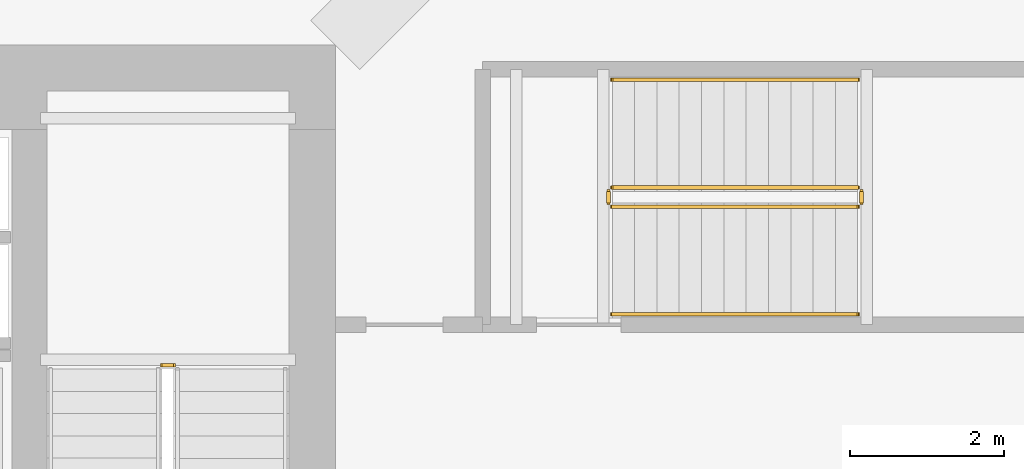
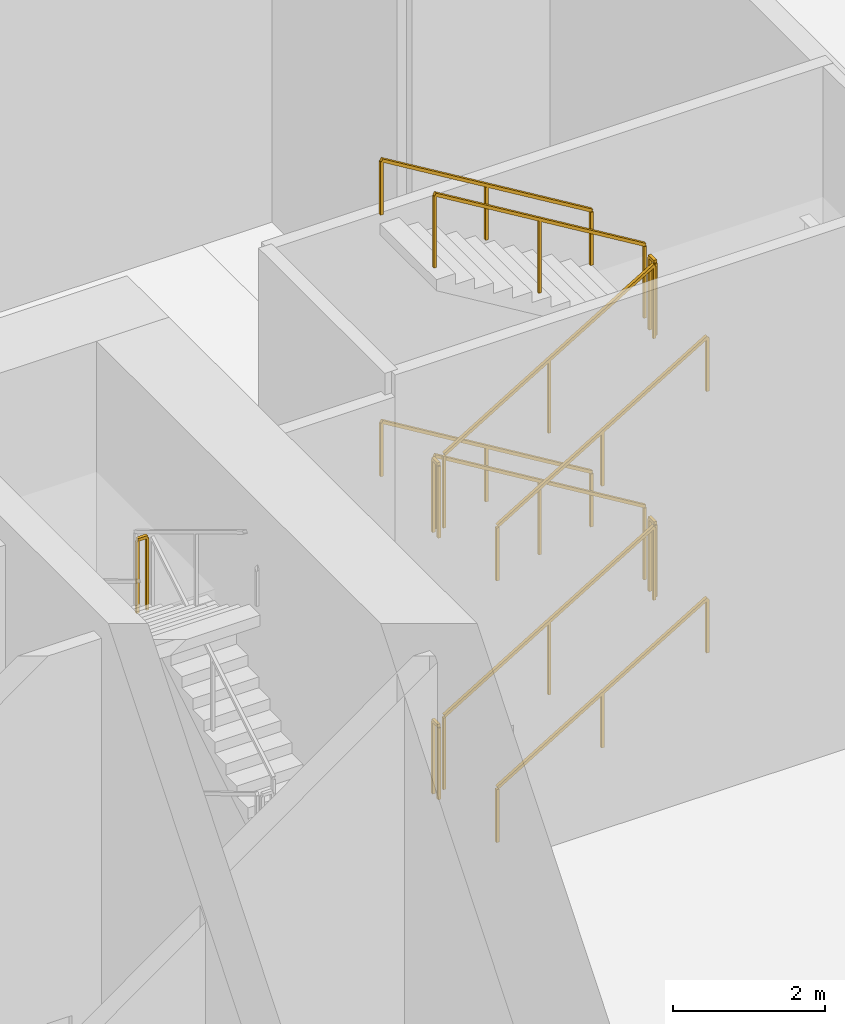
# One storey, part 11 of 12: 13 railings.
"""IFC4 building model written with IfcOpenShell, lengths in metres."""

from ifc_helpers import new_model, si_unit, direction, frame, origin, origin_2d, place, context, subcontext, project, spatial, rectangle, extrude, material, type_object, element, save


model = new_model("IFC4")

# Units and contexts
model_context = context("Model", 3, precision=1e-05, world=origin(), true_north=direction((0.0, 1.0)))
body_context = subcontext(model_context, "Body", "Model", "MODEL_VIEW")
ifc_project = project(units=[si_unit("LENGTHUNIT", "METRE"), si_unit("AREAUNIT", "SQUARE_METRE"), si_unit("VOLUMEUNIT", "CUBIC_METRE"), si_unit("PLANEANGLEUNIT", "RADIAN"), si_unit("MASSUNIT", "GRAM", prefix="KILO")], contexts=[model_context])

# Site, building, storey
site_placement = place(None, origin())
site = spatial("IfcSite", under=ifc_project, at=site_placement, CompositionType="ELEMENT")
building_placement = place(site_placement, origin())
building = spatial("IfcBuilding", under=site, at=building_placement, Name="Belovzor Exchange Tower", CompositionType="ELEMENT")
storey_placement = place(building_placement, origin())
storey = spatial("IfcBuildingStorey", under=building, at=storey_placement, Name="L01", CompositionType="ELEMENT", Elevation=0.0)

# Railings
ifc_material_1 = material(Name="Stainless Steel Grade 304", Category="steel")
railing_type_1 = type_object("IfcRailingType", Name="Brushed Stainless Steel Stair Handrail 900", PredefinedType="HANDRAIL", material=ifc_material_1)
railing_1_placement = place(storey_placement, frame((41.39990234375, 34.300048828125, 0.175048828125)))
element("IfcRailing", 1, at=railing_1_placement, inside=storey, type_object=railing_type_1, Name="L01 ST-4 stair handrail 1", PredefinedType="HANDRAIL", context=body_context, shape_type="SweptSolid", body=[
    extrude(rectangle(XDim=0.048095703125, YDim=0.048095703125, at=origin_2d()), frame((0.0, 0.0, 0.8759765625), z_axis=(0.856195157123, 0.0, 0.516652545643), x_axis=(0.0, 1.0, 0.0)), (0.0, 0.0, 1.0), 3.72607421875),
    extrude(rectangle(XDim=0.0419921875, YDim=0.0419921875, at=origin_2d()), origin(), (0.0, 0.0, 1.0), 0.851806640625),
    extrude(rectangle(XDim=0.0419921875, YDim=0.0419921875, at=origin_2d()), frame((1.59521484375, 0.0, 0.96240234375)), (0.0, 0.0, 1.0), 0.851806640625),
    extrude(rectangle(XDim=0.0419921875, YDim=0.0419921875, at=origin_2d()), frame((3.190185546875, 0.0, 1.925048828125)), (0.0, 0.0, 1.0), 0.851806640625),
])
railing_2_placement = place(storey_placement, frame((44.590087890625, 37.35009765625, 2.27490234375)))
element("IfcRailing", 2, at=railing_2_placement, inside=storey, type_object=railing_type_1, Name="L01 ST-4 stair handrail 2", PredefinedType="HANDRAIL", context=body_context, shape_type="SweptSolid", body=[
    extrude(rectangle(XDim=0.048095703125, YDim=0.048095703125, at=origin_2d()), frame((0.0, 0.0, 0.8759765625), z_axis=(-0.856195157123, 0.0, 0.516652545643), x_axis=(0.0, -1.0, 0.0)), (0.0, 0.0, 1.0), 3.72607421875),
    extrude(rectangle(XDim=0.0419921875, YDim=0.0419921875, at=origin_2d()), origin(), (0.0, 0.0, 1.0), 0.851806640625),
    extrude(rectangle(XDim=0.0419921875, YDim=0.0419921875, at=origin_2d()), frame((-1.59521484375, 0.0, 0.96240234375)), (0.0, 0.0, 1.0), 0.851806640625),
    extrude(rectangle(XDim=0.0419921875, YDim=0.0419921875, at=origin_2d()), frame((-3.190185546875, 0.0, 1.925048828125)), (0.0, 0.0, 1.0), 0.851806640625),
])
railing_3_placement = place(storey_placement, frame((41.39990234375, 34.300048828125, 4.375)))
element("IfcRailing", 3, at=railing_3_placement, inside=storey, type_object=railing_type_1, Name="L01 ST-4 stair handrail 3", PredefinedType="HANDRAIL", context=body_context, shape_type="SweptSolid", body=[
    extrude(rectangle(XDim=0.048095703125, YDim=0.048095703125, at=origin_2d()), frame((0.0, 0.0, 0.8759765625), z_axis=(0.856195157123, 0.0, 0.516652545643), x_axis=(0.0, 1.0, 0.0)), (0.0, 0.0, 1.0), 3.72607421875),
    extrude(rectangle(XDim=0.0419921875, YDim=0.0419921875, at=origin_2d()), origin(), (0.0, 0.0, 1.0), 0.851806640625),
    extrude(rectangle(XDim=0.0419921875, YDim=0.0419921875, at=origin_2d()), frame((1.59521484375, 0.0, 0.96240234375)), (0.0, 0.0, 1.0), 0.851806640625),
    extrude(rectangle(XDim=0.0419921875, YDim=0.0419921875, at=origin_2d()), frame((3.190185546875, 0.0, 1.925048828125)), (0.0, 0.0, 1.0), 0.851806640625),
])
railing_4_placement = place(storey_placement, frame((44.590087890625, 37.35009765625, 6.47509765625)))
element("IfcRailing", 4, at=railing_4_placement, inside=storey, type_object=railing_type_1, Name="L01 ST-4 stair handrail 4", PredefinedType="HANDRAIL", context=body_context, shape_type="SweptSolid", body=[
    extrude(rectangle(XDim=0.048095703125, YDim=0.048095703125, at=origin_2d()), frame((0.0, 0.0, 0.8759765625), z_axis=(-0.856224141417, 0.0, 0.516604509905), x_axis=(0.0, -1.0, 0.0)), (0.0, 0.0, 1.0), 3.725830078125),
    extrude(rectangle(XDim=0.0419921875, YDim=0.0419921875, at=origin_2d()), origin(), (0.0, 0.0, 1.0), 0.851806640625),
    extrude(rectangle(XDim=0.0419921875, YDim=0.0419921875, at=origin_2d()), frame((-1.59521484375, 0.0, 0.96240234375)), (0.0, 0.0, 1.0), 0.851806640625),
    extrude(rectangle(XDim=0.0419921875, YDim=0.0419921875, at=origin_2d()), frame((-3.190185546875, 0.0, 1.9248046875)), (0.0, 0.0, 1.0), 0.851806640625),
])
ifc_material_2 = material(Name="Steel S355", Category="steel")
railing_type_2 = type_object("IfcRailingType", Name="Painted Steel Stairwell Guardrail 1200", PredefinedType="GUARDRAIL", material=ifc_material_2)
railing_5_placement = place(storey_placement, frame((35.699951171875, 33.639892578125, 6.300048828125)))
element("IfcRailing", 5, at=railing_5_placement, inside=storey, type_object=railing_type_2, Name="L01 ST-2 stair guard 6", PredefinedType="GUARDRAIL", context=body_context, shape_type="SweptSolid", body=[
    extrude(rectangle(XDim=0.048095703125, YDim=0.048095703125, at=origin_2d()), frame((0.0, 0.0, 1.17578125), z_axis=(-1.0, 0.0, 0.0), x_axis=(0.0, -1.0, 0.0)), (0.0, 0.0, 1.0), 0.14990234375),
    extrude(rectangle(XDim=0.0419921875, YDim=0.0419921875, at=origin_2d()), origin(), (0.0, 0.0, 1.0), 1.15185546875),
    extrude(rectangle(XDim=0.0419921875, YDim=0.0419921875, at=origin_2d()), frame((-0.14990234375, 0.0, 0.0)), (0.0, 0.0, 1.0), 1.15185546875),
])
railing_6_placement = place(storey_placement, frame((41.39990234375, 35.699951171875, 0.175048828125)))
element("IfcRailing", 6, at=railing_6_placement, inside=storey, type_object=railing_type_2, Name="L01 ST-4 stair guard 1", PredefinedType="GUARDRAIL", context=body_context, shape_type="SweptSolid", body=[
    extrude(rectangle(XDim=0.048095703125, YDim=0.048095703125, at=origin_2d()), frame((0.0, 0.0, 1.17578125), z_axis=(0.856195157123, 0.0, 0.516652545643), x_axis=(0.0, 1.0, 0.0)), (0.0, 0.0, 1.0), 3.72607421875),
    extrude(rectangle(XDim=0.0419921875, YDim=0.0419921875, at=origin_2d()), origin(), (0.0, 0.0, 1.0), 1.15185546875),
    extrude(rectangle(XDim=0.0419921875, YDim=0.0419921875, at=origin_2d()), frame((1.59521484375, 0.0, 0.96240234375)), (0.0, 0.0, 1.0), 1.15185546875),
    extrude(rectangle(XDim=0.0419921875, YDim=0.0419921875, at=origin_2d()), frame((3.190185546875, 0.0, 1.925048828125)), (0.0, 0.0, 1.0), 1.15185546875),
])
railing_7_placement = place(storey_placement, frame((44.639892578125, 35.75, 2.10009765625)))
element("IfcRailing", 7, at=railing_7_placement, inside=storey, type_object=railing_type_2, Name="L01 ST-4 stair guard 2", PredefinedType="GUARDRAIL", context=body_context, shape_type="SweptSolid", body=[
    extrude(rectangle(XDim=0.048095703125, YDim=0.048095703125, at=origin_2d()), frame((0.0, 0.0, 1.17578125), z_axis=(0.0, 1.0, 0.0), x_axis=(-1.0, 0.0, 0.0)), (0.0, 0.0, 1.0), 0.14990234375),
    extrude(rectangle(XDim=0.0419921875, YDim=0.0419921875, at=origin_2d()), origin(), (0.0, 0.0, 1.0), 1.15185546875),
    extrude(rectangle(XDim=0.0419921875, YDim=0.0419921875, at=origin_2d()), frame((0.0, 0.14990234375, 0.0)), (0.0, 0.0, 1.0), 1.15185546875),
])
railing_8_placement = place(storey_placement, frame((44.590087890625, 35.949951171875, 2.27490234375)))
element("IfcRailing", 8, at=railing_8_placement, inside=storey, type_object=railing_type_2, Name="L01 ST-4 stair guard 3", PredefinedType="GUARDRAIL", context=body_context, shape_type="SweptSolid", body=[
    extrude(rectangle(XDim=0.048095703125, YDim=0.048095703125, at=origin_2d()), frame((0.0, 0.0, 1.17578125), z_axis=(-0.856195157123, 0.0, 0.516652545643), x_axis=(0.0, -1.0, 0.0)), (0.0, 0.0, 1.0), 3.72607421875),
    extrude(rectangle(XDim=0.0419921875, YDim=0.0419921875, at=origin_2d()), origin(), (0.0, 0.0, 1.0), 1.15185546875),
    extrude(rectangle(XDim=0.0419921875, YDim=0.0419921875, at=origin_2d()), frame((-1.59521484375, 0.0, 0.96240234375)), (0.0, 0.0, 1.0), 1.15185546875),
    extrude(rectangle(XDim=0.0419921875, YDim=0.0419921875, at=origin_2d()), frame((-3.190185546875, 0.0, 1.925048828125)), (0.0, 0.0, 1.0), 1.15185546875),
])
railing_9_placement = place(storey_placement, frame((41.35009765625, 35.75, 4.199951171875)))
element("IfcRailing", 9, at=railing_9_placement, inside=storey, type_object=railing_type_2, Name="L01 ST-4 stair guard 4", PredefinedType="GUARDRAIL", context=body_context, shape_type="SweptSolid", body=[
    extrude(rectangle(XDim=0.048095703125, YDim=0.048095703125, at=origin_2d()), frame((0.0, 0.0, 1.17578125), z_axis=(0.0, 1.0, 0.0), x_axis=(-1.0, 0.0, 0.0)), (0.0, 0.0, 1.0), 0.14990234375),
    extrude(rectangle(XDim=0.0419921875, YDim=0.0419921875, at=origin_2d()), origin(), (0.0, 0.0, 1.0), 1.15185546875),
    extrude(rectangle(XDim=0.0419921875, YDim=0.0419921875, at=origin_2d()), frame((0.0, 0.14990234375, 0.0)), (0.0, 0.0, 1.0), 1.15185546875),
])
railing_10_placement = place(storey_placement, frame((41.39990234375, 35.699951171875, 4.375)))
element("IfcRailing", 10, at=railing_10_placement, inside=storey, type_object=railing_type_2, Name="L01 ST-4 stair guard 5", PredefinedType="GUARDRAIL", context=body_context, shape_type="SweptSolid", body=[
    extrude(rectangle(XDim=0.048095703125, YDim=0.048095703125, at=origin_2d()), frame((0.0, 0.0, 1.17578125), z_axis=(0.856195157123, 0.0, 0.516652545643), x_axis=(0.0, 1.0, 0.0)), (0.0, 0.0, 1.0), 3.72607421875),
    extrude(rectangle(XDim=0.0419921875, YDim=0.0419921875, at=origin_2d()), origin(), (0.0, 0.0, 1.0), 1.15185546875),
    extrude(rectangle(XDim=0.0419921875, YDim=0.0419921875, at=origin_2d()), frame((1.59521484375, 0.0, 0.96240234375)), (0.0, 0.0, 1.0), 1.15185546875),
    extrude(rectangle(XDim=0.0419921875, YDim=0.0419921875, at=origin_2d()), frame((3.190185546875, 0.0, 1.925048828125)), (0.0, 0.0, 1.0), 1.15185546875),
])
railing_11_placement = place(storey_placement, frame((44.639892578125, 35.75, 6.300048828125)))
element("IfcRailing", 11, at=railing_11_placement, inside=storey, type_object=railing_type_2, Name="L01 ST-4 stair guard 6", PredefinedType="GUARDRAIL", context=body_context, shape_type="SweptSolid", body=[
    extrude(rectangle(XDim=0.048095703125, YDim=0.048095703125, at=origin_2d()), frame((0.0, 0.0, 1.17578125), z_axis=(0.0, 1.0, 0.0), x_axis=(-1.0, 0.0, 0.0)), (0.0, 0.0, 1.0), 0.14990234375),
    extrude(rectangle(XDim=0.0419921875, YDim=0.0419921875, at=origin_2d()), origin(), (0.0, 0.0, 1.0), 1.15185546875),
    extrude(rectangle(XDim=0.0419921875, YDim=0.0419921875, at=origin_2d()), frame((0.0, 0.14990234375, 0.0)), (0.0, 0.0, 1.0), 1.15185546875),
])
railing_12_placement = place(storey_placement, frame((44.590087890625, 35.949951171875, 6.47509765625)))
element("IfcRailing", 12, at=railing_12_placement, inside=storey, type_object=railing_type_2, Name="L01 ST-4 stair guard 7", PredefinedType="GUARDRAIL", context=body_context, shape_type="SweptSolid", body=[
    extrude(rectangle(XDim=0.048095703125, YDim=0.048095703125, at=origin_2d()), frame((0.0, 0.0, 1.17578125), z_axis=(-0.856224141417, 0.0, 0.516604509905), x_axis=(0.0, -1.0, 0.0)), (0.0, 0.0, 1.0), 3.725830078125),
    extrude(rectangle(XDim=0.0419921875, YDim=0.0419921875, at=origin_2d()), origin(), (0.0, 0.0, 1.0), 1.15185546875),
    extrude(rectangle(XDim=0.0419921875, YDim=0.0419921875, at=origin_2d()), frame((-1.59521484375, 0.0, 0.96240234375)), (0.0, 0.0, 1.0), 1.15185546875),
    extrude(rectangle(XDim=0.0419921875, YDim=0.0419921875, at=origin_2d()), frame((-3.190185546875, 0.0, 1.9248046875)), (0.0, 0.0, 1.0), 1.15185546875),
])
railing_13_placement = place(storey_placement, frame((41.35009765625, 35.75, 0.0)))
element("IfcRailing", 13, at=railing_13_placement, inside=storey, type_object=railing_type_2, Name="L01 ST-4 stair guard 8", PredefinedType="GUARDRAIL", context=body_context, shape_type="SweptSolid", body=[
    extrude(rectangle(XDim=0.048095703125, YDim=0.048095703125, at=origin_2d()), frame((0.0, 0.0, 1.17578125), z_axis=(0.0, 1.0, 0.0), x_axis=(-1.0, 0.0, 0.0)), (0.0, 0.0, 1.0), 0.14990234375),
    extrude(rectangle(XDim=0.0419921875, YDim=0.0419921875, at=origin_2d()), origin(), (0.0, 0.0, 1.0), 1.15185546875),
    extrude(rectangle(XDim=0.0419921875, YDim=0.0419921875, at=origin_2d()), frame((0.0, 0.14990234375, 0.0)), (0.0, 0.0, 1.0), 1.15185546875),
])

save(model, "model.ifc")
